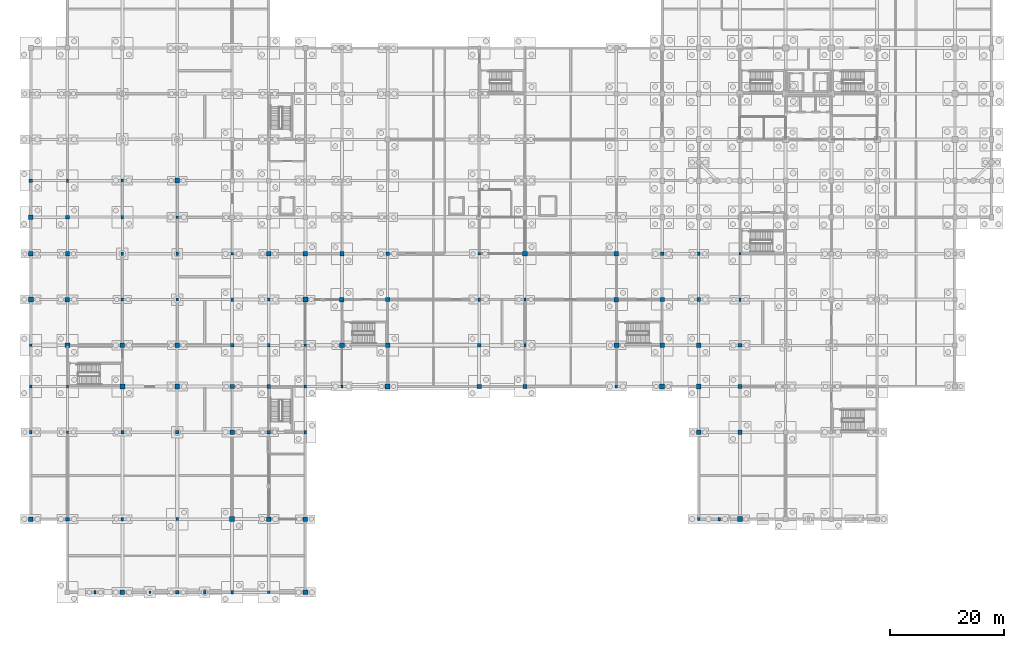
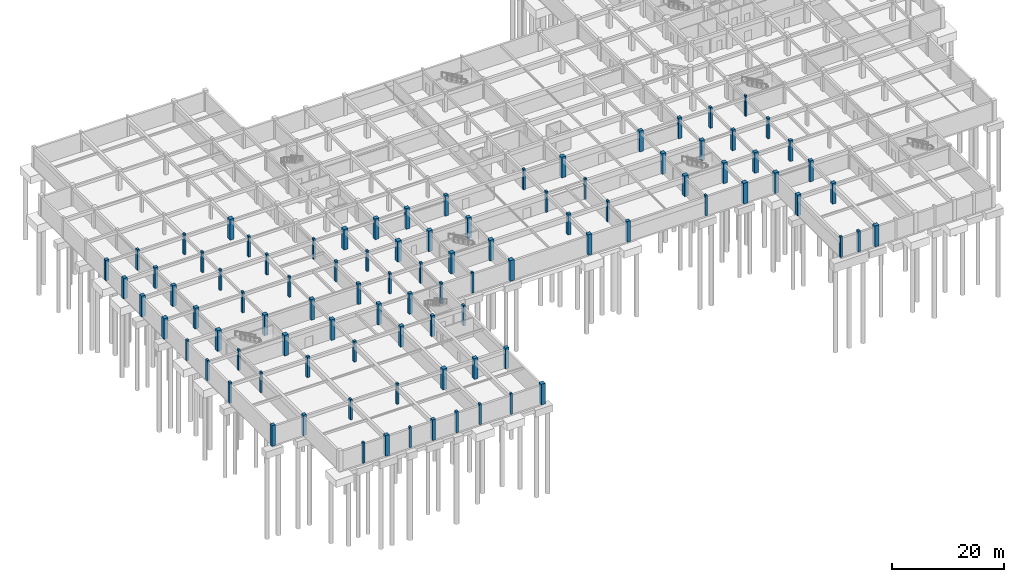
# One storey, part 6 of 28: 95 columns.
"""IFC4 building model written with IfcOpenShell, lengths in metres."""

from ifc_helpers import new_model, si_unit, direction, frame, origin, origin_2d, place, context, subcontext, project, spatial, rectangle, extrude, material, material_profile, profile_set, type_object, element, save


model = new_model("IFC4")

# Units and contexts
model_context = context("Model", 3, precision=1e-05, world=origin(), true_north=direction((0.0, 1.0)))
body_context = subcontext(model_context, "Body", "Model", "MODEL_VIEW")
ifc_project = project(units=[si_unit("LENGTHUNIT", "METRE"), si_unit("AREAUNIT", "SQUARE_METRE"), si_unit("VOLUMEUNIT", "CUBIC_METRE"), si_unit("PLANEANGLEUNIT", "RADIAN"), si_unit("MASSUNIT", "GRAM", prefix="KILO")], contexts=[model_context])

# Site, building, storey
site_placement = place(None, origin())
site = spatial("IfcSite", under=ifc_project, at=site_placement, CompositionType="ELEMENT")
building_placement = place(site_placement, origin())
building = spatial("IfcBuilding", under=site, at=building_placement, Name="Vellmiral Cinema and Media Centre", CompositionType="ELEMENT")
storey_placement = place(building_placement, frame((0.0, 0.0, -4.5)))
storey = spatial("IfcBuildingStorey", under=building, at=storey_placement, Name="B1", CompositionType="ELEMENT", Elevation=-4.5)

# Columns
ifc_material_1 = material(Name="Concrete C40/50", Category="concrete")
ifc_material_profile_1 = material_profile(ifc_material_1, rectangle(XDim=0.39990234375, YDim=0.5, at=origin_2d()), Name="RC 400x500")
ifc_profile_set_1 = profile_set([ifc_material_profile_1], Name="Concrete C40/50")
column_type_1 = type_object("IfcColumnType", Name="COL-RC-400x500", PredefinedType="COLUMN", material=ifc_profile_set_1)
for number, where, z_axis, x_axis, name in (
    (1, (0.0, 43.199951171875, 0.0), (0.0, 0.0, 1.0), (1.0, 0.0, 0.0), "Column B1-004"),
    (2, (6.39990234375, 28.0, 0.0), (0.0, 0.0, 1.0), (1.0, 0.0, 0.0), "Column B1-014"),
    (3, (6.39990234375, 36.0, 0.0), (0.0, 0.0, 1.0), (1.0, 0.0, 0.0), "Column B1-015"),
    (4, (16.0, 72.0, 0.0), (0.0, 0.0, 1.0), (1.0, 0.0, 0.0), "Column B1-033"),
    (5, (25.60009765625, 12.800048828125, 0.0), (0.0, 0.0, 1.0), (1.0, 0.0, 0.0), "Column B1-039"),
    (6, (25.60009765625, 65.60009765625, 0.0), (0.0, 0.0, 1.0), (1.0, 0.0, 0.0), "Column B1-045"),
    (7, (35.199951171875, 59.199951171875, 0.0), (0.0, 0.0, 1.0), (1.0, 0.0, 0.0), "Column B1-057"),
    (8, (41.60009765625, 0.0, 0.0), (0.0, 0.0, 1.0), (1.0, 0.0, 0.0), "Column B1-064"),
    (9, (41.60009765625, 51.199951171875, 0.0), (0.0, 0.0, 1.0), (1.0, 0.0, 0.0), "Column B1-069"),
    (10, (48.0, 43.199951171875, 0.0), (0.0, 0.0, 1.0), (1.0, 0.0, 0.0), "Column B1-081"),
    (11, (54.39990234375, 36.0, 0.0), (0.0, 0.0, 1.0), (1.0, 0.0, 0.0), "Column B1-089"),
    (12, (78.39990234375, 59.199951171875, 0.0), (0.0, 0.0, 1.0), (1.0, 0.0, 0.0), "Column B1-110"),
    (13, (86.39990234375, 51.199951171875, 0.0), (0.0, 0.0, 1.0), (1.0, 0.0, 0.0), "Column B1-118"),
    (14, (102.39990234375, 36.0, 0.0), (0.0, 0.0, 1.0), (1.0, 0.0, 0.0), "Column B1-125"),
    (15, (116.800048828125, 12.800048828125, 0.0), (0.0, 0.0, 1.0), (1.0, 0.0, 0.0), "Column B1-145"),
    (16, (124.0, 59.199951171875, 0.0), (0.0, 0.0, 1.0), (1.0, 0.0, 0.0), "Column B1-167"),
):
    element("IfcColumn", number, at=place(storey_placement, frame(where, z_axis=z_axis, x_axis=x_axis)), inside=storey, type_object=column_type_1, Name=name, PredefinedType="COLUMN", context=body_context, shape_type="SweptSolid", body=[
        extrude(rectangle(XDim=0.39990234375, YDim=0.5, at=origin_2d()), origin(), (0.0, 0.0, 1.0), 4.5),
    ])
ifc_material_2 = material(Name="Concrete C40/50", Category="concrete")
ifc_material_profile_2 = material_profile(ifc_material_2, rectangle(XDim=0.39990234375, YDim=0.550048828125, at=origin_2d()), Name="RC 400x550")
ifc_profile_set_2 = profile_set([ifc_material_profile_2], Name="Concrete C40/50")
column_type_2 = type_object("IfcColumnType", Name="COL-RC-400x550", PredefinedType="COLUMN", material=ifc_profile_set_2)
for number, where, z_axis, x_axis, name in (
    (17, (16.0, 51.199951171875, 0.0), (0.0, 0.0, 1.0), (1.0, 0.0, 0.0), "Column B1-030"),
    (18, (16.0, 59.199951171875, 0.0), (0.0, 0.0, 1.0), (1.0, 0.0, 0.0), "Column B1-031"),
    (19, (25.60009765625, 51.199951171875, 0.0), (0.0, 0.0, 1.0), (1.0, 0.0, 0.0), "Column B1-043"),
    (20, (25.60009765625, 59.199951171875, 0.0), (0.0, 0.0, 1.0), (1.0, 0.0, 0.0), "Column B1-044"),
):
    element("IfcColumn", number, at=place(storey_placement, frame(where, z_axis=z_axis, x_axis=x_axis)), inside=storey, type_object=column_type_2, Name=name, PredefinedType="COLUMN", context=body_context, shape_type="SweptSolid", body=[
        extrude(rectangle(XDim=0.39990234375, YDim=0.550048828125, at=origin_2d()), origin(), (0.0, 0.0, 1.0), 4.5),
    ])
ifc_material_3 = material(Name="Concrete C40/50", Category="concrete")
ifc_material_profile_3 = material_profile(ifc_material_3, rectangle(XDim=0.39990234375, YDim=0.60009765625, at=origin_2d()), Name="RC 400x600")
ifc_profile_set_3 = profile_set([ifc_material_profile_3], Name="Concrete C40/50")
column_type_3 = type_object("IfcColumnType", Name="COL-RC-400x600", PredefinedType="COLUMN", material=ifc_profile_set_3)
for number, where, z_axis, x_axis, name in (
    (21, (0.0, 28.0, 0.0), (0.0, 0.0, 1.0), (1.0, 0.0, 0.0), "Column B1-002"),
    (22, (0.0, 36.0, 0.0), (0.0, 0.0, 1.0), (1.0, 0.0, 0.0), "Column B1-003"),
    (23, (6.39990234375, 72.0, 0.0), (0.0, 0.0, 1.0), (1.0, 0.0, 0.0), "Column B1-020"),
    (24, (16.0, 12.800048828125, 0.0), (0.0, 0.0, 1.0), (1.0, 0.0, 0.0), "Column B1-026"),
    (25, (16.0, 65.60009765625, 0.0), (0.0, 0.0, 1.0), (1.0, 0.0, 0.0), "Column B1-032"),
    (26, (35.199951171875, 0.0, 0.0), (0.0, 0.0, 1.0), (1.0, 0.0, 0.0), "Column B1-051"),
    (27, (35.199951171875, 51.199951171875, 0.0), (0.0, 0.0, 1.0), (1.0, 0.0, 0.0), "Column B1-056"),
    (28, (41.60009765625, 43.199951171875, 0.0), (0.0, 0.0, 1.0), (1.0, 0.0, 0.0), "Column B1-068"),
    (29, (48.0, 28.0, 0.0), (0.0, 0.0, 1.0), (1.0, 0.0, 0.0), "Column B1-079"),
    (30, (48.0, 36.0, 0.0), (0.0, 0.0, 1.0), (1.0, 0.0, 0.0), "Column B1-080"),
    (31, (78.39990234375, 51.199951171875, 0.0), (0.0, 0.0, 1.0), (1.0, 0.0, 0.0), "Column B1-109"),
    (32, (86.39990234375, 43.199951171875, 0.0), (0.0, 0.0, 1.0), (1.0, 0.0, 0.0), "Column B1-117"),
    (33, (116.800048828125, 59.199951171875, 0.0), (0.0, 0.0, 1.0), (1.0, 0.0, 0.0), "Column B1-150"),
    (34, (124.0, 51.199951171875, 0.0), (0.0, 0.0, 1.0), (1.0, 0.0, 0.0), "Column B1-166"),
):
    element("IfcColumn", number, at=place(storey_placement, frame(where, z_axis=z_axis, x_axis=x_axis)), inside=storey, type_object=column_type_3, Name=name, PredefinedType="COLUMN", context=body_context, shape_type="SweptSolid", body=[
        extrude(rectangle(XDim=0.39990234375, YDim=0.60009765625, at=origin_2d()), origin(), (0.0, 0.0, 1.0), 4.5),
    ])
ifc_material_4 = material(Name="Concrete C40/50", Category="concrete")
ifc_material_profile_4 = material_profile(ifc_material_4, rectangle(XDim=0.550048828125, YDim=0.550048828125, at=origin_2d()), Name="RC 550x550")
ifc_profile_set_4 = profile_set([ifc_material_profile_4], Name="Concrete C40/50")
column_type_4 = type_object("IfcColumnType", Name="COL-RC-550x550", PredefinedType="COLUMN", material=ifc_profile_set_4)
for number, where, z_axis, x_axis, name in (
    (35, (16.0, 28.0, 0.0), (0.0, 0.0, 1.0), (1.0, 0.0, 0.0), "Column B1-027"),
    (36, (25.60009765625, 28.0, 0.0), (0.0, 0.0, 1.0), (1.0, 0.0, 0.0), "Column B1-040"),
):
    element("IfcColumn", number, at=place(storey_placement, frame(where, z_axis=z_axis, x_axis=x_axis)), inside=storey, type_object=column_type_4, Name=name, PredefinedType="COLUMN", context=body_context, shape_type="SweptSolid", body=[
        extrude(rectangle(XDim=0.550048828125, YDim=0.550048828125, at=origin_2d()), origin(), (0.0, 0.0, 1.0), 4.5),
    ])
ifc_material_5 = material(Name="Concrete C40/50", Category="concrete")
ifc_material_profile_5 = material_profile(ifc_material_5, rectangle(XDim=0.64990234375, YDim=0.64990234375, at=origin_2d()), Name="RC 650x650")
ifc_profile_set_5 = profile_set([ifc_material_profile_5], Name="Concrete C40/50")
column_type_5 = type_object("IfcColumnType", Name="COL-RC-650x650", PredefinedType="COLUMN", material=ifc_profile_set_5)
for number, where, z_axis, x_axis, name in (
    (37, (0.0, 72.0, 0.0), (0.0, 0.0, 1.0), (1.0, 0.0, 0.0), "Column B1-008"),
    (38, (6.39990234375, 12.800048828125, 0.0), (0.0, 0.0, 1.0), (1.0, 0.0, 0.0), "Column B1-013"),
    (39, (6.39990234375, 65.60009765625, 0.0), (0.0, 0.0, 1.0), (1.0, 0.0, 0.0), "Column B1-019"),
    (40, (25.60009765625, 0.0, 0.0), (0.0, 0.0, 1.0), (1.0, 0.0, 0.0), "Column B1-038"),
    (41, (35.199951171875, 43.199951171875, 0.0), (0.0, 0.0, 1.0), (1.0, 0.0, 0.0), "Column B1-055"),
    (42, (41.60009765625, 28.0, 0.0), (0.0, 0.0, 1.0), (1.0, 0.0, 0.0), "Column B1-066"),
    (43, (41.60009765625, 36.0, 0.0), (0.0, 0.0, 1.0), (1.0, 0.0, 0.0), "Column B1-067"),
    (44, (62.39990234375, 59.199951171875, 0.0), (0.0, 0.0, 1.0), (1.0, 0.0, 0.0), "Column B1-101"),
    (45, (78.39990234375, 43.199951171875, 0.0), (0.0, 0.0, 1.0), (1.0, 0.0, 0.0), "Column B1-108"),
    (46, (86.39990234375, 36.0, 0.0), (0.0, 0.0, 1.0), (1.0, 0.0, 0.0), "Column B1-116"),
    (47, (110.39990234375, 59.199951171875, 0.0), (0.0, 0.0, 1.0), (1.0, 0.0, 0.0), "Column B1-137"),
    (48, (116.800048828125, 51.199951171875, 0.0), (0.0, 0.0, 1.0), (1.0, 0.0, 0.0), "Column B1-149"),
    (49, (124.0, 43.199951171875, 0.0), (0.0, 0.0, 1.0), (1.0, 0.0, 0.0), "Column B1-165"),
):
    element("IfcColumn", number, at=place(storey_placement, frame(where, z_axis=z_axis, x_axis=x_axis)), inside=storey, type_object=column_type_5, Name=name, PredefinedType="COLUMN", context=body_context, shape_type="SweptSolid", body=[
        extrude(rectangle(XDim=0.64990234375, YDim=0.64990234375, at=origin_2d()), origin(), (0.0, 0.0, 1.0), 4.5),
    ])
ifc_material_6 = material(Name="Concrete C40/50", Category="concrete")
ifc_material_profile_6 = material_profile(ifc_material_6, rectangle(XDim=0.75, YDim=0.75, at=origin_2d()), Name="RC 750x750")
ifc_profile_set_6 = profile_set([ifc_material_profile_6], Name="Concrete C40/50")
column_type_6 = type_object("IfcColumnType", Name="COL-RC-750x750", PredefinedType="COLUMN", material=ifc_profile_set_6)
for number, where, z_axis, x_axis, name in (
    (50, (0.0, 12.800048828125, 0.0), (0.0, 0.0, 1.0), (1.0, 0.0, 0.0), "Column B1-001"),
    (51, (0.0, 65.60009765625, 0.0), (0.0, 0.0, 1.0), (1.0, 0.0, 0.0), "Column B1-007"),
    (52, (6.39990234375, 59.199951171875, 0.0), (0.0, 0.0, 1.0), (1.0, 0.0, 0.0), "Column B1-018"),
    (53, (16.0, 0.0, 0.0), (0.0, 0.0, 1.0), (1.0, 0.0, 0.0), "Column B1-025"),
    (54, (25.60009765625, 43.199951171875, 0.0), (0.0, 0.0, 1.0), (1.0, 0.0, 0.0), "Column B1-042"),
    (55, (35.199951171875, 28.0, 0.0), (0.0, 0.0, 1.0), (1.0, 0.0, 0.0), "Column B1-053"),
    (56, (35.199951171875, 36.0, 0.0), (0.0, 0.0, 1.0), (1.0, 0.0, 0.0), "Column B1-054"),
    (57, (48.0, 12.800048828125, 0.0), (0.0, 0.0, 1.0), (1.0, 0.0, 0.0), "Column B1-078"),
    (58, (54.39990234375, 59.199951171875, 0.0), (0.0, 0.0, 1.0), (1.0, 0.0, 0.0), "Column B1-092"),
    (59, (62.39990234375, 51.199951171875, 0.0), (0.0, 0.0, 1.0), (1.0, 0.0, 0.0), "Column B1-100"),
    (60, (78.39990234375, 36.0, 0.0), (0.0, 0.0, 1.0), (1.0, 0.0, 0.0), "Column B1-107"),
    (61, (102.39990234375, 59.199951171875, 0.0), (0.0, 0.0, 1.0), (1.0, 0.0, 0.0), "Column B1-128"),
    (62, (110.39990234375, 51.199951171875, 0.0), (0.0, 0.0, 1.0), (1.0, 0.0, 0.0), "Column B1-136"),
    (63, (116.800048828125, 43.199951171875, 0.0), (0.0, 0.0, 1.0), (1.0, 0.0, 0.0), "Column B1-148"),
    (64, (124.0, 28.0, 0.0), (0.0, 0.0, 1.0), (1.0, 0.0, 0.0), "Column B1-163"),
    (65, (124.0, 36.0, 0.0), (0.0, 0.0, 1.0), (1.0, 0.0, 0.0), "Column B1-164"),
):
    element("IfcColumn", number, at=place(storey_placement, frame(where, z_axis=z_axis, x_axis=x_axis)), inside=storey, type_object=column_type_6, Name=name, PredefinedType="COLUMN", context=body_context, shape_type="SweptSolid", body=[
        extrude(rectangle(XDim=0.75, YDim=0.75, at=origin_2d()), origin(), (0.0, 0.0, 1.0), 4.5),
    ])
ifc_material_7 = material(Name="Concrete C40/50", Category="concrete")
ifc_material_profile_7 = material_profile(ifc_material_7, rectangle(XDim=0.800048828125, YDim=0.800048828125, at=origin_2d()), Name="RC 800x800")
ifc_profile_set_7 = profile_set([ifc_material_profile_7], Name="Concrete C40/50")
column_type_7 = type_object("IfcColumnType", Name="COL-RC-800x800", PredefinedType="COLUMN", material=ifc_profile_set_7)
for number, where, z_axis, x_axis, name in (
    (66, (0.0, 59.199951171875, 0.0), (0.0, 0.0, 1.0), (1.0, 0.0, 0.0), "Column B1-006"),
    (67, (6.39990234375, 51.199951171875, 0.0), (0.0, 0.0, 1.0), (1.0, 0.0, 0.0), "Column B1-017"),
    (68, (16.0, 43.199951171875, 0.0), (0.0, 0.0, 1.0), (1.0, 0.0, 0.0), "Column B1-029"),
    (69, (25.60009765625, 36.0, 0.0), (0.0, 0.0, 1.0), (1.0, 0.0, 0.0), "Column B1-041"),
    (70, (41.60009765625, 12.800048828125, 0.0), (0.0, 0.0, 1.0), (1.0, 0.0, 0.0), "Column B1-065"),
    (71, (48.0, 59.199951171875, 0.0), (0.0, 0.0, 1.0), (1.0, 0.0, 0.0), "Column B1-083"),
    (72, (54.39990234375, 51.199951171875, 0.0), (0.0, 0.0, 1.0), (1.0, 0.0, 0.0), "Column B1-091"),
    (73, (62.39990234375, 43.199951171875, 0.0), (0.0, 0.0, 1.0), (1.0, 0.0, 0.0), "Column B1-099"),
    (74, (102.39990234375, 51.199951171875, 0.0), (0.0, 0.0, 1.0), (1.0, 0.0, 0.0), "Column B1-127"),
    (75, (110.39990234375, 43.199951171875, 0.0), (0.0, 0.0, 1.0), (1.0, 0.0, 0.0), "Column B1-135"),
    (76, (116.800048828125, 28.0, 0.0), (0.0, 0.0, 1.0), (1.0, 0.0, 0.0), "Column B1-146"),
    (77, (116.800048828125, 36.0, 0.0), (0.0, 0.0, 1.0), (1.0, 0.0, 0.0), "Column B1-147"),
):
    element("IfcColumn", number, at=place(storey_placement, frame(where, z_axis=z_axis, x_axis=x_axis)), inside=storey, type_object=column_type_7, Name=name, PredefinedType="COLUMN", context=body_context, shape_type="SweptSolid", body=[
        extrude(rectangle(XDim=0.800048828125, YDim=0.800048828125, at=origin_2d()), origin(), (0.0, 0.0, 1.0), 4.5),
    ])
ifc_material_8 = material(Name="Concrete C40/50", Category="concrete")
ifc_material_profile_8 = material_profile(ifc_material_8, rectangle(XDim=0.85009765625, YDim=0.85009765625, at=origin_2d()), Name="RC 850x850")
ifc_profile_set_8 = profile_set([ifc_material_profile_8], Name="Concrete C40/50")
column_type_8 = type_object("IfcColumnType", Name="COL-RC-850x850", PredefinedType="COLUMN", material=ifc_profile_set_8)
for number, where, z_axis, x_axis, name in (
    (78, (0.0, 51.199951171875, 0.0), (0.0, 0.0, 1.0), (1.0, 0.0, 0.0), "Column B1-005"),
    (79, (6.39990234375, 43.199951171875, 0.0), (0.0, 0.0, 1.0), (1.0, 0.0, 0.0), "Column B1-016"),
    (80, (16.0, 36.0, 0.0), (0.0, 0.0, 1.0), (1.0, 0.0, 0.0), "Column B1-028"),
    (81, (25.60009765625, 72.0, 0.0), (0.0, 0.0, 1.0), (1.0, 0.0, 0.0), "Column B1-046"),
    (82, (35.199951171875, 12.800048828125, 0.0), (0.0, 0.0, 1.0), (1.0, 0.0, 0.0), "Column B1-052"),
    (83, (41.60009765625, 59.199951171875, 0.0), (0.0, 0.0, 1.0), (1.0, 0.0, 0.0), "Column B1-070"),
    (84, (48.0, 0.0, 0.0), (0.0, 0.0, 1.0), (1.0, 0.0, 0.0), "Column B1-077"),
    (85, (48.0, 51.199951171875, 0.0), (0.0, 0.0, 1.0), (1.0, 0.0, 0.0), "Column B1-082"),
    (86, (54.39990234375, 43.199951171875, 0.0), (0.0, 0.0, 1.0), (1.0, 0.0, 0.0), "Column B1-090"),
    (87, (62.39990234375, 36.0, 0.0), (0.0, 0.0, 1.0), (1.0, 0.0, 0.0), "Column B1-098"),
    (88, (86.39990234375, 59.199951171875, 0.0), (0.0, 0.0, 1.0), (1.0, 0.0, 0.0), "Column B1-119"),
    (89, (102.39990234375, 43.199951171875, 0.0), (0.0, 0.0, 1.0), (1.0, 0.0, 0.0), "Column B1-126"),
    (90, (110.39990234375, 36.0, 0.0), (0.0, 0.0, 1.0), (1.0, 0.0, 0.0), "Column B1-134"),
    (91, (124.0, 12.800048828125, 0.0), (0.0, 0.0, 1.0), (1.0, 0.0, 0.0), "Column B1-162"),
):
    element("IfcColumn", number, at=place(storey_placement, frame(where, z_axis=z_axis, x_axis=x_axis)), inside=storey, type_object=column_type_8, Name=name, PredefinedType="COLUMN", context=body_context, shape_type="SweptSolid", body=[
        extrude(rectangle(XDim=0.85009765625, YDim=0.85009765625, at=origin_2d()), origin(), (0.0, 0.0, 1.0), 4.5),
    ])
ifc_material_9 = material(Name="Vosges Red Sandstone Masonry", Category="masonry")
ifc_material_profile_9 = material_profile(ifc_material_9, rectangle(XDim=0.35009765625, YDim=0.5, at=origin_2d()), Name="SAND 350x500")
ifc_profile_set_9 = profile_set([ifc_material_profile_9], Name="Vosges Red Sandstone Masonry")
column_type_9 = type_object("IfcColumnType", Name="PIL-SAND-350x500", PredefinedType="PILASTER", material=ifc_profile_set_9)
column_1_placement = place(storey_placement, frame((20.800048828125, 0.0, 0.0), z_axis=(0.0, 0.0, 1.0), x_axis=(1.0, 0.0, 0.0)))
element("IfcColumn", 92, at=column_1_placement, inside=storey, type_object=column_type_9, Name="Sandstone Arcade Pilaster B1-02", PredefinedType="PILASTER", context=body_context, shape_type="SweptSolid", body=[
    extrude(rectangle(XDim=0.35009765625, YDim=0.5, at=origin_2d()), origin(), (0.0, 0.0, 1.0), 4.5),
])
ifc_material_10 = material(Name="Vosges Red Sandstone Masonry", Category="masonry")
ifc_material_profile_10 = material_profile(ifc_material_10, rectangle(XDim=0.39990234375, YDim=0.550048828125, at=origin_2d()), Name="SAND 400x550")
ifc_profile_set_10 = profile_set([ifc_material_profile_10], Name="Vosges Red Sandstone Masonry")
column_type_10 = type_object("IfcColumnType", Name="PIL-SAND-400x550", PredefinedType="PILASTER", material=ifc_profile_set_10)
column_2_placement = place(storey_placement, frame((11.199951171875, 0.0, 0.0), z_axis=(0.0, 0.0, 1.0), x_axis=(1.0, 0.0, 0.0)))
element("IfcColumn", 93, at=column_2_placement, inside=storey, type_object=column_type_10, Name="Sandstone Arcade Pilaster B1-01", PredefinedType="PILASTER", context=body_context, shape_type="SweptSolid", body=[
    extrude(rectangle(XDim=0.39990234375, YDim=0.550048828125, at=origin_2d()), origin(), (0.0, 0.0, 1.0), 4.5),
])
ifc_material_11 = material(Name="Vosges Red Sandstone Masonry", Category="masonry")
ifc_material_profile_11 = material_profile(ifc_material_11, rectangle(XDim=0.449951171875, YDim=0.60009765625, at=origin_2d()), Name="SAND 450x600")
ifc_profile_set_11 = profile_set([ifc_material_profile_11], Name="Vosges Red Sandstone Masonry")
column_type_11 = type_object("IfcColumnType", Name="PIL-SAND-450x600", PredefinedType="PILASTER", material=ifc_profile_set_11)
column_3_placement = place(storey_placement, frame((120.39990234375, 12.800048828125, 0.0), z_axis=(0.0, 0.0, 1.0), x_axis=(1.0, 0.0, 0.0)))
element("IfcColumn", 94, at=column_3_placement, inside=storey, type_object=column_type_11, Name="Sandstone Arcade Pilaster B1-04", PredefinedType="PILASTER", context=body_context, shape_type="SweptSolid", body=[
    extrude(rectangle(XDim=0.449951171875, YDim=0.60009765625, at=origin_2d()), origin(), (0.0, 0.0, 1.0), 4.5),
])
ifc_material_12 = material(Name="Vosges Red Sandstone Masonry", Category="masonry")
ifc_material_profile_12 = material_profile(ifc_material_12, rectangle(XDim=0.5, YDim=0.64990234375, at=origin_2d()), Name="SAND 500x650")
ifc_profile_set_12 = profile_set([ifc_material_profile_12], Name="Vosges Red Sandstone Masonry")
column_type_12 = type_object("IfcColumnType", Name="PIL-SAND-500x650", PredefinedType="PILASTER", material=ifc_profile_set_12)
column_4_placement = place(storey_placement, frame((30.39990234375, 0.0, 0.0), z_axis=(0.0, 0.0, 1.0), x_axis=(1.0, 0.0, 0.0)))
element("IfcColumn", 95, at=column_4_placement, inside=storey, type_object=column_type_12, Name="Sandstone Arcade Pilaster B1-03", PredefinedType="PILASTER", context=body_context, shape_type="SweptSolid", body=[
    extrude(rectangle(XDim=0.5, YDim=0.64990234375, at=origin_2d()), origin(), (0.0, 0.0, 1.0), 4.5),
])

save(model, "model.ifc")
